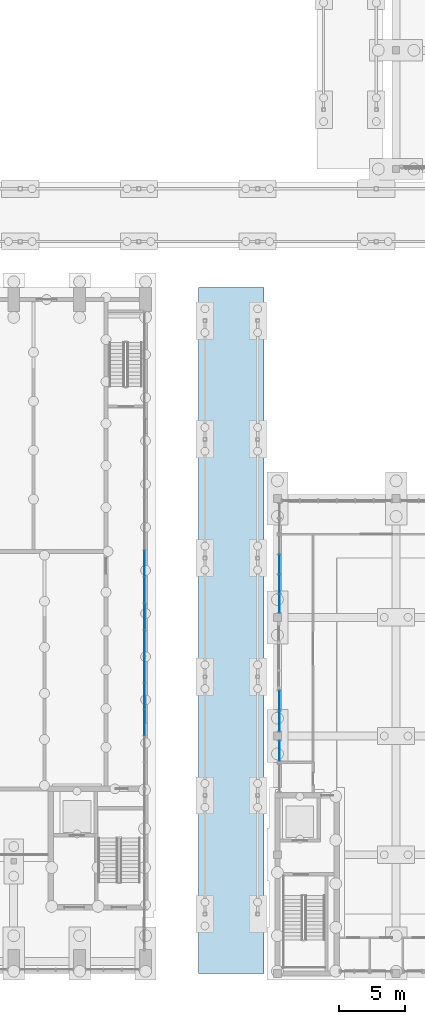
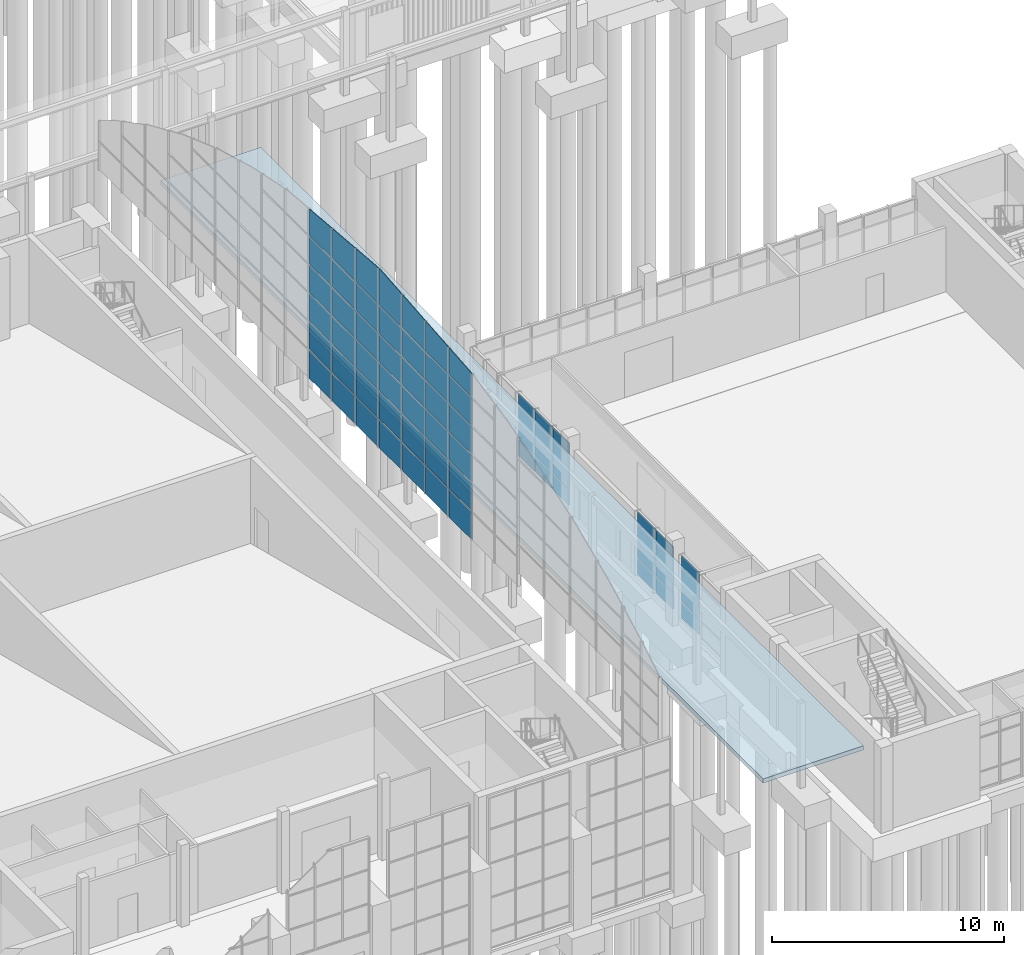
# One storey, part 54 of 106: 60 plates, 1 slab, 4 elements without a shape of their own.
"""IFC4 building model written with IfcOpenShell, lengths in metres."""

from ifc_helpers import new_model, si_unit, direction, frame, origin, origin_2d, place, context, subcontext, project, spatial, polyline, rectangle, outline, extrude, material, layer, layer_set, type_object, element, aggregate, save


model = new_model("IFC4")

# Units and contexts
model_context = context("Model", 3, precision=1e-05, world=origin(), true_north=direction((0.0, 1.0)))
body_context = subcontext(model_context, "Body", "Model", "MODEL_VIEW")
ifc_project = project(units=[si_unit("LENGTHUNIT", "METRE"), si_unit("AREAUNIT", "SQUARE_METRE"), si_unit("VOLUMEUNIT", "CUBIC_METRE"), si_unit("PLANEANGLEUNIT", "RADIAN"), si_unit("MASSUNIT", "GRAM", prefix="KILO")], contexts=[model_context])

# Site, building, storey
site_placement = place(None, origin())
site = spatial("IfcSite", under=ifc_project, at=site_placement, CompositionType="ELEMENT")
building_placement = place(site_placement, origin())
building = spatial("IfcBuilding", under=site, at=building_placement, Name="Merrow Basin Faculty of Sciences", CompositionType="ELEMENT")
storey_placement = place(building_placement, origin())
storey = spatial("IfcBuildingStorey", under=building, at=storey_placement, Name="L00", CompositionType="ELEMENT", Elevation=0.0)

# Slab
ifc_material_1 = material(Name="Concrete C40/50", Category="concrete")
ifc_layer_1 = layer(ifc_material_1, 0.219970703125)
ifc_layer_set_1 = layer_set([ifc_layer_1], Name="Canopy slab 220 Concrete C40/50")
slab_type = type_object("IfcSlabType", Name="Canopy slab 220 Concrete C40/50", PredefinedType="ROOF", material=ifc_layer_set_1)
slab_placement = place(storey_placement, frame((0.0, 0.0, 4.179931640625)))
element("IfcSlab", 1, at=slab_placement, inside=storey, type_object=slab_type, Name="SL2 passage canopy P2 L00 003", PredefinedType="ROOF", context=body_context, shape_type="SweptSolid", body=[
    extrude(outline(polyline([(39.0, 52.0), (44.0, 52.0), (44.0, 0.0), (39.0, 0.0), (39.0, 52.0)])), origin(), (0.0, 0.0, 1.0), 0.219970703125),
])

# Curtain wall, plate
ifc_material_2 = material(Name="Aluminium alloy 6063", Category="aluminium")
curtain_wall_type_1 = type_object("IfcCurtainWallType", Name="Atrium concourse curtain wall 300", PredefinedType="NOTDEFINED", material=ifc_material_2)
curtain_wall_1_placement = place(storey_placement, origin())
curtain_wall_1 = element("IfcCurtainWall", 2, at=curtain_wall_1_placement, inside=storey, type_object=curtain_wall_type_1, Name="W curtain wall L00 2", PredefinedType="NOTDEFINED")
ifc_material_3 = material(Name="Insulated aluminium spandrel panel", Category="aluminium")
ifc_layer_2 = layer(ifc_material_3, 0.052001953125)
ifc_layer_set_2 = layer_set([ifc_layer_2], Name="Insulated spandrel panel 52")
plate_type_1 = type_object("IfcPlateType", Name="Insulated spandrel panel 52", PredefinedType="CURTAIN_PANEL", material=ifc_layer_set_2)
plate_1_placement = place(storey_placement, frame((45.14990234375, 16.887451171875, 0.06005859375), z_axis=(0.0, 0.0, 1.0), x_axis=(0.0, 1.0, 0.0)))
plate_1 = element("IfcPlate", 3, at=plate_1_placement, type_object=plate_type_1, Name="CW6 panel 1.1", PredefinedType="CURTAIN_PANEL", context=body_context, shape_type="SweptSolid", body=[
    extrude(rectangle(XDim=1.5048828125, YDim=0.052001953125, at=origin_2d()), origin(), (0.0, 0.0, 1.0), 0.81005859375),
])

# Curtain wall, plates
curtain_wall_2_placement = place(storey_placement, origin())
curtain_wall_2 = element("IfcCurtainWall", 4, at=curtain_wall_2_placement, inside=storey, type_object=curtain_wall_type_1, Name="W curtain wall L00 3", PredefinedType="NOTDEFINED")
plate_2_placement = place(storey_placement, frame((45.14990234375, 19.114990234375, 0.06005859375), z_axis=(0.0, 0.0, 1.0), x_axis=(0.0, 1.0, 0.0)))
plate_2 = element("IfcPlate", 5, at=plate_2_placement, type_object=plate_type_1, Name="CW6 panel 1.1", PredefinedType="CURTAIN_PANEL", context=body_context, shape_type="SweptSolid", body=[
    extrude(rectangle(XDim=1.510009765625, YDim=0.052001953125, at=origin_2d()), origin(), (0.0, 0.0, 1.0), 0.81005859375),
])
plate_3_placement = place(storey_placement, frame((45.14990234375, 20.68505859375, 0.06005859375), z_axis=(0.0, 0.0, 1.0), x_axis=(0.0, 1.0, 0.0)))
plate_3 = element("IfcPlate", 6, at=plate_3_placement, type_object=plate_type_1, Name="CW6 panel 2.1", PredefinedType="CURTAIN_PANEL", context=body_context, shape_type="SweptSolid", body=[
    extrude(rectangle(XDim=1.510009765625, YDim=0.052001953125, at=origin_2d()), origin(), (0.0, 0.0, 1.0), 0.81005859375),
])

curtain_wall_3_placement = place(storey_placement, origin())
curtain_wall_3 = element("IfcCurtainWall", 7, at=curtain_wall_3_placement, inside=storey, type_object=curtain_wall_type_1, Name="W curtain wall L00 4", PredefinedType="NOTDEFINED")
plate_4_placement = place(storey_placement, frame((45.14990234375, 28.058837890625, 0.06005859375), z_axis=(0.0, 0.0, 1.0), x_axis=(0.0, 1.0, 0.0)))
plate_4 = element("IfcPlate", 8, at=plate_4_placement, type_object=plate_type_1, Name="CW6 panel 1.1", PredefinedType="CURTAIN_PANEL", context=body_context, shape_type="SweptSolid", body=[
    extrude(rectangle(XDim=1.3974609375, YDim=0.052001953125, at=origin_2d()), origin(), (0.0, 0.0, 1.0), 0.81005859375),
])
plate_5_placement = place(storey_placement, frame((45.14990234375, 29.53125, 0.06005859375), z_axis=(0.0, 0.0, 1.0), x_axis=(0.0, 1.0, 0.0)))
plate_5 = element("IfcPlate", 9, at=plate_5_placement, type_object=plate_type_1, Name="CW6 panel 2.1", PredefinedType="CURTAIN_PANEL", context=body_context, shape_type="SweptSolid", body=[
    extrude(rectangle(XDim=1.427490234375, YDim=0.052001953125, at=origin_2d()), origin(), (0.0, 0.0, 1.0), 0.81005859375),
])
plate_6_placement = place(storey_placement, frame((45.14990234375, 31.018798828125, 0.06005859375), z_axis=(0.0, 0.0, 1.0), x_axis=(0.0, 1.0, 0.0)))
plate_6 = element("IfcPlate", 10, at=plate_6_placement, type_object=plate_type_1, Name="CW6 panel 3.1", PredefinedType="CURTAIN_PANEL", context=body_context, shape_type="SweptSolid", body=[
    extrude(rectangle(XDim=1.427490234375, YDim=0.052001953125, at=origin_2d()), origin(), (0.0, 0.0, 1.0), 0.81005859375),
])

ifc_material_4 = material(Name="Aluminium alloy 6063", Category="aluminium")
curtain_wall_type_2 = type_object("IfcCurtainWallType", Name="Arched curtain wall 160", PredefinedType="NOTDEFINED", material=ifc_material_4)
curtain_wall_4_placement = place(storey_placement, origin())
curtain_wall_4 = element("IfcCurtainWall", 11, at=curtain_wall_4_placement, inside=storey, type_object=curtain_wall_type_2, Name="East gable glazing C", PredefinedType="NOTDEFINED")
ifc_material_5 = material(Name="Laminated safety glass", Category="glass")
ifc_layer_3 = layer(ifc_material_5, 0.0400390625)
ifc_layer_set_3 = layer_set([ifc_layer_3], Name="Laminated overhead glazing panel 40")
plate_type_2 = type_object("IfcPlateType", Name="Laminated overhead glazing panel 40", PredefinedType="CURTAIN_PANEL", material=ifc_layer_set_3)
plate_7_placement = place(storey_placement, frame((34.89990234375, 18.052001953125, 7.5), z_axis=(1.0, 0.0, 0.0), x_axis=(0.0, 1.0, 0.0)))
plate_7 = element("IfcPlate", 12, at=plate_7_placement, type_object=plate_type_2, Name="CW4 panel 3.1", PredefinedType="CURTAIN_PANEL", context=body_context, shape_type="SweptSolid", body=[
    extrude(outline(polyline([(0.0, 0.0), (1.949951171875, 0.0), (1.949951171875, 1.469970703125), (0.0, 1.469970703125), (0.0, 0.0)])), origin(), (0.0, 0.0, 1.0), 0.0400390625),
])
plate_8_placement = place(storey_placement, frame((34.89990234375, 18.052001953125, 9.030029296875), z_axis=(1.0, 0.0, 0.0), x_axis=(0.0, 1.0, 0.0)))
plate_8 = element("IfcPlate", 13, at=plate_8_placement, type_object=plate_type_2, Name="CW4 panel 3.2", PredefinedType="CURTAIN_PANEL", context=body_context, shape_type="SweptSolid", body=[
    extrude(outline(polyline([(0.0, 0.0), (1.949951171875, 0.0), (1.949951171875, 1.43994140625), (0.0, 1.43994140625), (0.0, 0.0)])), origin(), (0.0, 0.0, 1.0), 0.0400390625),
])
plate_9_placement = place(storey_placement, frame((34.89990234375, 18.052001953125, 10.530029296875), z_axis=(1.0, 0.0, 0.0), x_axis=(0.0, 1.0, 0.0)))
plate_9 = element("IfcPlate", 14, at=plate_9_placement, type_object=plate_type_2, Name="CW4 panel 3.3", PredefinedType="CURTAIN_PANEL", context=body_context, shape_type="SweptSolid", body=[
    extrude(outline(polyline([(0.0, 0.0), (1.949951171875, 0.0), (1.949951171875, 1.43994140625), (0.0, 1.43994140625), (0.0, 0.0)])), origin(), (0.0, 0.0, 1.0), 0.0400390625),
])
plate_10_placement = place(storey_placement, frame((34.89990234375, 18.052001953125, 12.030029296875), z_axis=(1.0, 0.0, 0.0), x_axis=(0.0, 1.0, 0.0)))
plate_10 = element("IfcPlate", 15, at=plate_10_placement, type_object=plate_type_2, Name="CW4 panel 3.4", PredefinedType="CURTAIN_PANEL", context=body_context, shape_type="SweptSolid", body=[
    extrude(outline(polyline([(0.0, 0.0), (1.949951171875, 0.0), (1.949951171875, 1.43994140625), (0.0, 1.43994140625), (0.0, 0.0)])), origin(), (0.0, 0.0, 1.0), 0.0400390625),
])
plate_11_placement = place(storey_placement, frame((34.89990234375, 18.052001953125, 13.530029296875), z_axis=(1.0, 0.0, 0.0), x_axis=(0.0, 1.0, 0.0)))
plate_11 = element("IfcPlate", 16, at=plate_11_placement, type_object=plate_type_2, Name="CW4 panel 3.5", PredefinedType="CURTAIN_PANEL", context=body_context, shape_type="SweptSolid", body=[
    extrude(outline(polyline([(0.0, 0.0), (1.949951171875, 0.0), (1.949951171875, 1.43994140625), (0.0, 1.43994140625), (0.0, 0.0)])), origin(), (0.0, 0.0, 1.0), 0.0400390625),
])
plate_12_placement = place(storey_placement, frame((34.89990234375, 18.052001953125, 15.030029296875), z_axis=(1.0, 0.0, 0.0), x_axis=(0.0, 1.0, 0.0)))
plate_12 = element("IfcPlate", 17, at=plate_12_placement, type_object=plate_type_2, Name="CW4 panel 3.top", PredefinedType="CURTAIN_PANEL", context=body_context, shape_type="SweptSolid", body=[
    extrude(outline(polyline([(0.0, 0.0), (1.950927734375, 0.0), (1.950927734375, 1.39501953125), (0.0, 1.22509765625), (0.0, 0.0)])), origin(), (0.0, 0.0, 1.0), 0.0400390625),
])
plate_13_placement = place(storey_placement, frame((34.89990234375, 20.06298828125, 7.5), z_axis=(1.0, 0.0, 0.0), x_axis=(0.0, 1.0, 0.0)))
plate_13 = element("IfcPlate", 18, at=plate_13_placement, type_object=plate_type_2, Name="CW4 panel 4.1", PredefinedType="CURTAIN_PANEL", context=body_context, shape_type="SweptSolid", body=[
    extrude(outline(polyline([(0.0, 0.0), (1.949951171875, 0.0), (1.949951171875, 1.469970703125), (0.0, 1.469970703125), (0.0, 0.0)])), origin(), (0.0, 0.0, 1.0), 0.0400390625),
])
plate_14_placement = place(storey_placement, frame((34.89990234375, 20.06298828125, 9.030029296875), z_axis=(1.0, 0.0, 0.0), x_axis=(0.0, 1.0, 0.0)))
plate_14 = element("IfcPlate", 19, at=plate_14_placement, type_object=plate_type_2, Name="CW4 panel 4.2", PredefinedType="CURTAIN_PANEL", context=body_context, shape_type="SweptSolid", body=[
    extrude(outline(polyline([(0.0, 0.0), (1.949951171875, 0.0), (1.949951171875, 1.43994140625), (0.0, 1.43994140625), (0.0, 0.0)])), origin(), (0.0, 0.0, 1.0), 0.0400390625),
])
plate_15_placement = place(storey_placement, frame((34.89990234375, 20.06298828125, 10.530029296875), z_axis=(1.0, 0.0, 0.0), x_axis=(0.0, 1.0, 0.0)))
plate_15 = element("IfcPlate", 20, at=plate_15_placement, type_object=plate_type_2, Name="CW4 panel 4.3", PredefinedType="CURTAIN_PANEL", context=body_context, shape_type="SweptSolid", body=[
    extrude(outline(polyline([(0.0, 0.0), (1.949951171875, 0.0), (1.949951171875, 1.43994140625), (0.0, 1.43994140625), (0.0, 0.0)])), origin(), (0.0, 0.0, 1.0), 0.0400390625),
])
plate_16_placement = place(storey_placement, frame((34.89990234375, 20.06298828125, 12.030029296875), z_axis=(1.0, 0.0, 0.0), x_axis=(0.0, 1.0, 0.0)))
plate_16 = element("IfcPlate", 21, at=plate_16_placement, type_object=plate_type_2, Name="CW4 panel 4.4", PredefinedType="CURTAIN_PANEL", context=body_context, shape_type="SweptSolid", body=[
    extrude(outline(polyline([(0.0, 0.0), (1.949951171875, 0.0), (1.949951171875, 1.43994140625), (0.0, 1.43994140625), (0.0, 0.0)])), origin(), (0.0, 0.0, 1.0), 0.0400390625),
])
plate_17_placement = place(storey_placement, frame((34.89990234375, 20.06298828125, 13.530029296875), z_axis=(1.0, 0.0, 0.0), x_axis=(0.0, 1.0, 0.0)))
plate_17 = element("IfcPlate", 22, at=plate_17_placement, type_object=plate_type_2, Name="CW4 panel 4.5", PredefinedType="CURTAIN_PANEL", context=body_context, shape_type="SweptSolid", body=[
    extrude(outline(polyline([(0.0, 0.0), (1.949951171875, 0.0), (1.949951171875, 1.43994140625), (0.0, 1.43994140625), (0.0, 0.0)])), origin(), (0.0, 0.0, 1.0), 0.0400390625),
])
plate_18_placement = place(storey_placement, frame((34.89990234375, 20.06298828125, 15.030029296875), z_axis=(1.0, 0.0, 0.0), x_axis=(0.0, 1.0, 0.0)))
plate_18 = element("IfcPlate", 23, at=plate_18_placement, type_object=plate_type_2, Name="CW4 panel 4.top", PredefinedType="CURTAIN_PANEL", context=body_context, shape_type="SweptSolid", body=[
    extrude(outline(polyline([(0.0, 0.0), (1.950927734375, 0.0), (1.950927734375, 1.569091796875), (0.0, 1.39990234375), (0.0, 0.0)])), origin(), (0.0, 0.0, 1.0), 0.0400390625),
])
plate_19_placement = place(storey_placement, frame((34.89990234375, 22.073974609375, 7.5), z_axis=(1.0, 0.0, 0.0), x_axis=(0.0, 1.0, 0.0)))
plate_19 = element("IfcPlate", 24, at=plate_19_placement, type_object=plate_type_2, Name="CW4 panel 5.1", PredefinedType="CURTAIN_PANEL", context=body_context, shape_type="SweptSolid", body=[
    extrude(outline(polyline([(0.0, 0.0), (1.949951171875, 0.0), (1.949951171875, 1.469970703125), (0.0, 1.469970703125), (0.0, 0.0)])), origin(), (0.0, 0.0, 1.0), 0.0400390625),
])
plate_20_placement = place(storey_placement, frame((34.89990234375, 22.073974609375, 9.030029296875), z_axis=(1.0, 0.0, 0.0), x_axis=(0.0, 1.0, 0.0)))
plate_20 = element("IfcPlate", 25, at=plate_20_placement, type_object=plate_type_2, Name="CW4 panel 5.2", PredefinedType="CURTAIN_PANEL", context=body_context, shape_type="SweptSolid", body=[
    extrude(outline(polyline([(0.0, 0.0), (1.949951171875, 0.0), (1.949951171875, 1.43994140625), (0.0, 1.43994140625), (0.0, 0.0)])), origin(), (0.0, 0.0, 1.0), 0.0400390625),
])
plate_21_placement = place(storey_placement, frame((34.89990234375, 22.073974609375, 10.530029296875), z_axis=(1.0, 0.0, 0.0), x_axis=(0.0, 1.0, 0.0)))
plate_21 = element("IfcPlate", 26, at=plate_21_placement, type_object=plate_type_2, Name="CW4 panel 5.3", PredefinedType="CURTAIN_PANEL", context=body_context, shape_type="SweptSolid", body=[
    extrude(outline(polyline([(0.0, 0.0), (1.949951171875, 0.0), (1.949951171875, 1.43994140625), (0.0, 1.43994140625), (0.0, 0.0)])), origin(), (0.0, 0.0, 1.0), 0.0400390625),
])
plate_22_placement = place(storey_placement, frame((34.89990234375, 22.073974609375, 12.030029296875), z_axis=(1.0, 0.0, 0.0), x_axis=(0.0, 1.0, 0.0)))
plate_22 = element("IfcPlate", 27, at=plate_22_placement, type_object=plate_type_2, Name="CW4 panel 5.4", PredefinedType="CURTAIN_PANEL", context=body_context, shape_type="SweptSolid", body=[
    extrude(outline(polyline([(0.0, 0.0), (1.949951171875, 0.0), (1.949951171875, 1.43994140625), (0.0, 1.43994140625), (0.0, 0.0)])), origin(), (0.0, 0.0, 1.0), 0.0400390625),
])
plate_23_placement = place(storey_placement, frame((34.89990234375, 22.073974609375, 13.530029296875), z_axis=(1.0, 0.0, 0.0), x_axis=(0.0, 1.0, 0.0)))
plate_23 = element("IfcPlate", 28, at=plate_23_placement, type_object=plate_type_2, Name="CW4 panel 5.5", PredefinedType="CURTAIN_PANEL", context=body_context, shape_type="SweptSolid", body=[
    extrude(outline(polyline([(0.0, 0.0), (1.949951171875, 0.0), (1.949951171875, 1.43994140625), (0.0, 1.43994140625), (0.0, 0.0)])), origin(), (0.0, 0.0, 1.0), 0.0400390625),
])
plate_24_placement = place(storey_placement, frame((34.89990234375, 22.073974609375, 15.030029296875), z_axis=(1.0, 0.0, 0.0), x_axis=(0.0, 1.0, 0.0)))
plate_24 = element("IfcPlate", 29, at=plate_24_placement, type_object=plate_type_2, Name="CW4 panel 5.top", PredefinedType="CURTAIN_PANEL", context=body_context, shape_type="SweptSolid", body=[
    extrude(outline(polyline([(0.0, 0.0), (1.950927734375, 0.0), (1.950927734375, 1.743896484375), (0.0, 1.574951171875), (0.0, 0.0)])), origin(), (0.0, 0.0, 1.0), 0.0400390625),
])
plate_25_placement = place(storey_placement, frame((34.89990234375, 24.0859375, 7.5), z_axis=(1.0, 0.0, 0.0), x_axis=(0.0, 1.0, 0.0)))
plate_25 = element("IfcPlate", 30, at=plate_25_placement, type_object=plate_type_2, Name="CW4 panel 6.1", PredefinedType="CURTAIN_PANEL", context=body_context, shape_type="SweptSolid", body=[
    extrude(outline(polyline([(0.0, 0.0), (1.949951171875, 0.0), (1.949951171875, 1.469970703125), (0.0, 1.469970703125), (0.0, 0.0)])), origin(), (0.0, 0.0, 1.0), 0.0400390625),
])
plate_26_placement = place(storey_placement, frame((34.89990234375, 24.0859375, 9.030029296875), z_axis=(1.0, 0.0, 0.0), x_axis=(0.0, 1.0, 0.0)))
plate_26 = element("IfcPlate", 31, at=plate_26_placement, type_object=plate_type_2, Name="CW4 panel 6.2", PredefinedType="CURTAIN_PANEL", context=body_context, shape_type="SweptSolid", body=[
    extrude(outline(polyline([(0.0, 0.0), (1.949951171875, 0.0), (1.949951171875, 1.43994140625), (0.0, 1.43994140625), (0.0, 0.0)])), origin(), (0.0, 0.0, 1.0), 0.0400390625),
])
plate_27_placement = place(storey_placement, frame((34.89990234375, 24.0859375, 10.530029296875), z_axis=(1.0, 0.0, 0.0), x_axis=(0.0, 1.0, 0.0)))
plate_27 = element("IfcPlate", 32, at=plate_27_placement, type_object=plate_type_2, Name="CW4 panel 6.3", PredefinedType="CURTAIN_PANEL", context=body_context, shape_type="SweptSolid", body=[
    extrude(outline(polyline([(0.0, 0.0), (1.949951171875, 0.0), (1.949951171875, 1.43994140625), (0.0, 1.43994140625), (0.0, 0.0)])), origin(), (0.0, 0.0, 1.0), 0.0400390625),
])
plate_28_placement = place(storey_placement, frame((34.89990234375, 24.0859375, 12.030029296875), z_axis=(1.0, 0.0, 0.0), x_axis=(0.0, 1.0, 0.0)))
plate_28 = element("IfcPlate", 33, at=plate_28_placement, type_object=plate_type_2, Name="CW4 panel 6.4", PredefinedType="CURTAIN_PANEL", context=body_context, shape_type="SweptSolid", body=[
    extrude(outline(polyline([(0.0, 0.0), (1.949951171875, 0.0), (1.949951171875, 1.43994140625), (0.0, 1.43994140625), (0.0, 0.0)])), origin(), (0.0, 0.0, 1.0), 0.0400390625),
])
plate_29_placement = place(storey_placement, frame((34.89990234375, 24.0859375, 13.530029296875), z_axis=(1.0, 0.0, 0.0), x_axis=(0.0, 1.0, 0.0)))
plate_29 = element("IfcPlate", 34, at=plate_29_placement, type_object=plate_type_2, Name="CW4 panel 6.5", PredefinedType="CURTAIN_PANEL", context=body_context, shape_type="SweptSolid", body=[
    extrude(outline(polyline([(0.0, 0.0), (1.949951171875, 0.0), (1.949951171875, 1.43994140625), (0.0, 1.43994140625), (0.0, 0.0)])), origin(), (0.0, 0.0, 1.0), 0.0400390625),
])
plate_30_placement = place(storey_placement, frame((34.89990234375, 24.0859375, 15.030029296875), z_axis=(1.0, 0.0, 0.0), x_axis=(0.0, 1.0, 0.0)))
plate_30 = element("IfcPlate", 35, at=plate_30_placement, type_object=plate_type_2, Name="CW4 panel 6.top", PredefinedType="CURTAIN_PANEL", context=body_context, shape_type="SweptSolid", body=[
    extrude(outline(polyline([(0.0, 0.0), (1.950927734375, 0.0), (1.950927734375, 1.912109375), (1.9140625, 1.916015625), (0.0, 1.7490234375), (0.0, 0.0)])), origin(), (0.0, 0.0, 1.0), 0.0400390625),
])
plate_31_placement = place(storey_placement, frame((34.89990234375, 26.096923828125, 7.5), z_axis=(1.0, 0.0, 0.0), x_axis=(0.0, 1.0, 0.0)))
plate_31 = element("IfcPlate", 36, at=plate_31_placement, type_object=plate_type_2, Name="CW4 panel 7.1", PredefinedType="CURTAIN_PANEL", context=body_context, shape_type="SweptSolid", body=[
    extrude(outline(polyline([(0.0, 0.0), (1.949951171875, 0.0), (1.949951171875, 1.469970703125), (0.0, 1.469970703125), (0.0, 0.0)])), origin(), (0.0, 0.0, 1.0), 0.0400390625),
])
plate_32_placement = place(storey_placement, frame((34.89990234375, 26.096923828125, 9.030029296875), z_axis=(1.0, 0.0, 0.0), x_axis=(0.0, 1.0, 0.0)))
plate_32 = element("IfcPlate", 37, at=plate_32_placement, type_object=plate_type_2, Name="CW4 panel 7.2", PredefinedType="CURTAIN_PANEL", context=body_context, shape_type="SweptSolid", body=[
    extrude(outline(polyline([(0.0, 0.0), (1.949951171875, 0.0), (1.949951171875, 1.43994140625), (0.0, 1.43994140625), (0.0, 0.0)])), origin(), (0.0, 0.0, 1.0), 0.0400390625),
])
plate_33_placement = place(storey_placement, frame((34.89990234375, 26.096923828125, 10.530029296875), z_axis=(1.0, 0.0, 0.0), x_axis=(0.0, 1.0, 0.0)))
plate_33 = element("IfcPlate", 38, at=plate_33_placement, type_object=plate_type_2, Name="CW4 panel 7.3", PredefinedType="CURTAIN_PANEL", context=body_context, shape_type="SweptSolid", body=[
    extrude(outline(polyline([(0.0, 0.0), (1.949951171875, 0.0), (1.949951171875, 1.43994140625), (0.0, 1.43994140625), (0.0, 0.0)])), origin(), (0.0, 0.0, 1.0), 0.0400390625),
])
plate_34_placement = place(storey_placement, frame((34.89990234375, 26.096923828125, 12.030029296875), z_axis=(1.0, 0.0, 0.0), x_axis=(0.0, 1.0, 0.0)))
plate_34 = element("IfcPlate", 39, at=plate_34_placement, type_object=plate_type_2, Name="CW4 panel 7.4", PredefinedType="CURTAIN_PANEL", context=body_context, shape_type="SweptSolid", body=[
    extrude(outline(polyline([(0.0, 0.0), (1.949951171875, 0.0), (1.949951171875, 1.43994140625), (0.0, 1.43994140625), (0.0, 0.0)])), origin(), (0.0, 0.0, 1.0), 0.0400390625),
])
plate_35_placement = place(storey_placement, frame((34.89990234375, 26.096923828125, 13.530029296875), z_axis=(1.0, 0.0, 0.0), x_axis=(0.0, 1.0, 0.0)))
plate_35 = element("IfcPlate", 40, at=plate_35_placement, type_object=plate_type_2, Name="CW4 panel 7.5", PredefinedType="CURTAIN_PANEL", context=body_context, shape_type="SweptSolid", body=[
    extrude(outline(polyline([(0.0, 0.0), (1.949951171875, 0.0), (1.949951171875, 1.43994140625), (0.0, 1.43994140625), (0.0, 0.0)])), origin(), (0.0, 0.0, 1.0), 0.0400390625),
])
plate_36_placement = place(storey_placement, frame((34.89990234375, 26.096923828125, 15.030029296875), z_axis=(1.0, 0.0, 0.0), x_axis=(0.0, 1.0, 0.0)))
plate_36 = element("IfcPlate", 41, at=plate_36_placement, type_object=plate_type_2, Name="CW4 panel 7.top", PredefinedType="CURTAIN_PANEL", context=body_context, shape_type="SweptSolid", body=[
    extrude(outline(polyline([(0.0, 0.0), (1.950927734375, 0.0), (1.950927734375, 1.738037109375), (0.0, 1.906982421875), (0.0, 0.0)])), origin(), (0.0, 0.0, 1.0), 0.0400390625),
])
plate_37_placement = place(storey_placement, frame((34.89990234375, 28.10791015625, 7.5), z_axis=(1.0, 0.0, 0.0), x_axis=(0.0, 1.0, 0.0)))
plate_37 = element("IfcPlate", 42, at=plate_37_placement, type_object=plate_type_2, Name="CW4 panel 8.1", PredefinedType="CURTAIN_PANEL", context=body_context, shape_type="SweptSolid", body=[
    extrude(outline(polyline([(0.0, 0.0), (1.949951171875, 0.0), (1.949951171875, 1.469970703125), (0.0, 1.469970703125), (0.0, 0.0)])), origin(), (0.0, 0.0, 1.0), 0.0400390625),
])
plate_38_placement = place(storey_placement, frame((34.89990234375, 28.10791015625, 9.030029296875), z_axis=(1.0, 0.0, 0.0), x_axis=(0.0, 1.0, 0.0)))
plate_38 = element("IfcPlate", 43, at=plate_38_placement, type_object=plate_type_2, Name="CW4 panel 8.2", PredefinedType="CURTAIN_PANEL", context=body_context, shape_type="SweptSolid", body=[
    extrude(outline(polyline([(0.0, 0.0), (1.949951171875, 0.0), (1.949951171875, 1.43994140625), (0.0, 1.43994140625), (0.0, 0.0)])), origin(), (0.0, 0.0, 1.0), 0.0400390625),
])
plate_39_placement = place(storey_placement, frame((34.89990234375, 28.10791015625, 10.530029296875), z_axis=(1.0, 0.0, 0.0), x_axis=(0.0, 1.0, 0.0)))
plate_39 = element("IfcPlate", 44, at=plate_39_placement, type_object=plate_type_2, Name="CW4 panel 8.3", PredefinedType="CURTAIN_PANEL", context=body_context, shape_type="SweptSolid", body=[
    extrude(outline(polyline([(0.0, 0.0), (1.949951171875, 0.0), (1.949951171875, 1.43994140625), (0.0, 1.43994140625), (0.0, 0.0)])), origin(), (0.0, 0.0, 1.0), 0.0400390625),
])
plate_40_placement = place(storey_placement, frame((34.89990234375, 28.10791015625, 12.030029296875), z_axis=(1.0, 0.0, 0.0), x_axis=(0.0, 1.0, 0.0)))
plate_40 = element("IfcPlate", 45, at=plate_40_placement, type_object=plate_type_2, Name="CW4 panel 8.4", PredefinedType="CURTAIN_PANEL", context=body_context, shape_type="SweptSolid", body=[
    extrude(outline(polyline([(0.0, 0.0), (1.949951171875, 0.0), (1.949951171875, 1.43994140625), (0.0, 1.43994140625), (0.0, 0.0)])), origin(), (0.0, 0.0, 1.0), 0.0400390625),
])
plate_41_placement = place(storey_placement, frame((34.89990234375, 28.10791015625, 13.530029296875), z_axis=(1.0, 0.0, 0.0), x_axis=(0.0, 1.0, 0.0)))
plate_41 = element("IfcPlate", 46, at=plate_41_placement, type_object=plate_type_2, Name="CW4 panel 8.5", PredefinedType="CURTAIN_PANEL", context=body_context, shape_type="SweptSolid", body=[
    extrude(outline(polyline([(0.0, 0.0), (1.949951171875, 0.0), (1.949951171875, 1.43994140625), (0.0, 1.43994140625), (0.0, 0.0)])), origin(), (0.0, 0.0, 1.0), 0.0400390625),
])
plate_42_placement = place(storey_placement, frame((34.89990234375, 28.10791015625, 15.030029296875), z_axis=(1.0, 0.0, 0.0), x_axis=(0.0, 1.0, 0.0)))
plate_42 = element("IfcPlate", 47, at=plate_42_placement, type_object=plate_type_2, Name="CW4 panel 8.top", PredefinedType="CURTAIN_PANEL", context=body_context, shape_type="SweptSolid", body=[
    extrude(outline(polyline([(0.0, 0.0), (1.950927734375, 0.0), (1.950927734375, 1.56298828125), (0.0, 1.73193359375), (0.0, 0.0)])), origin(), (0.0, 0.0, 1.0), 0.0400390625),
])
plate_43_placement = place(storey_placement, frame((34.89990234375, 30.118896484375, 7.5), z_axis=(1.0, 0.0, 0.0), x_axis=(0.0, 1.0, 0.0)))
plate_43 = element("IfcPlate", 48, at=plate_43_placement, type_object=plate_type_2, Name="CW4 panel 9.1", PredefinedType="CURTAIN_PANEL", context=body_context, shape_type="SweptSolid", body=[
    extrude(outline(polyline([(0.0, 0.0), (1.949951171875, 0.0), (1.949951171875, 1.469970703125), (0.0, 1.469970703125), (0.0, 0.0)])), origin(), (0.0, 0.0, 1.0), 0.0400390625),
])
plate_44_placement = place(storey_placement, frame((34.89990234375, 30.118896484375, 9.030029296875), z_axis=(1.0, 0.0, 0.0), x_axis=(0.0, 1.0, 0.0)))
plate_44 = element("IfcPlate", 49, at=plate_44_placement, type_object=plate_type_2, Name="CW4 panel 9.2", PredefinedType="CURTAIN_PANEL", context=body_context, shape_type="SweptSolid", body=[
    extrude(outline(polyline([(0.0, 0.0), (1.949951171875, 0.0), (1.949951171875, 1.43994140625), (0.0, 1.43994140625), (0.0, 0.0)])), origin(), (0.0, 0.0, 1.0), 0.0400390625),
])
plate_45_placement = place(storey_placement, frame((34.89990234375, 30.118896484375, 10.530029296875), z_axis=(1.0, 0.0, 0.0), x_axis=(0.0, 1.0, 0.0)))
plate_45 = element("IfcPlate", 50, at=plate_45_placement, type_object=plate_type_2, Name="CW4 panel 9.3", PredefinedType="CURTAIN_PANEL", context=body_context, shape_type="SweptSolid", body=[
    extrude(outline(polyline([(0.0, 0.0), (1.949951171875, 0.0), (1.949951171875, 1.43994140625), (0.0, 1.43994140625), (0.0, 0.0)])), origin(), (0.0, 0.0, 1.0), 0.0400390625),
])
plate_46_placement = place(storey_placement, frame((34.89990234375, 30.118896484375, 12.030029296875), z_axis=(1.0, 0.0, 0.0), x_axis=(0.0, 1.0, 0.0)))
plate_46 = element("IfcPlate", 51, at=plate_46_placement, type_object=plate_type_2, Name="CW4 panel 9.4", PredefinedType="CURTAIN_PANEL", context=body_context, shape_type="SweptSolid", body=[
    extrude(outline(polyline([(0.0, 0.0), (1.949951171875, 0.0), (1.949951171875, 1.43994140625), (0.0, 1.43994140625), (0.0, 0.0)])), origin(), (0.0, 0.0, 1.0), 0.0400390625),
])
plate_47_placement = place(storey_placement, frame((34.89990234375, 30.118896484375, 13.530029296875), z_axis=(1.0, 0.0, 0.0), x_axis=(0.0, 1.0, 0.0)))
plate_47 = element("IfcPlate", 52, at=plate_47_placement, type_object=plate_type_2, Name="CW4 panel 9.5", PredefinedType="CURTAIN_PANEL", context=body_context, shape_type="SweptSolid", body=[
    extrude(outline(polyline([(0.0, 0.0), (1.949951171875, 0.0), (1.949951171875, 1.43994140625), (0.0, 1.43994140625), (0.0, 0.0)])), origin(), (0.0, 0.0, 1.0), 0.0400390625),
])
plate_48_placement = place(storey_placement, frame((34.89990234375, 30.118896484375, 15.030029296875), z_axis=(1.0, 0.0, 0.0), x_axis=(0.0, 1.0, 0.0)))
plate_48 = element("IfcPlate", 53, at=plate_48_placement, type_object=plate_type_2, Name="CW4 panel 9.top", PredefinedType="CURTAIN_PANEL", context=body_context, shape_type="SweptSolid", body=[
    extrude(outline(polyline([(0.0, 0.0), (1.950927734375, 0.0), (1.950927734375, 1.387939453125), (0.0, 1.55810546875), (0.0, 0.0)])), origin(), (0.0, 0.0, 1.0), 0.0400390625),
])
aggregate(curtain_wall_4, [plate_7, plate_8, plate_9, plate_10, plate_11, plate_12, plate_13, plate_14, plate_15, plate_16, plate_17, plate_18, plate_19, plate_20, plate_21, plate_22, plate_23, plate_24, plate_25, plate_26, plate_27, plate_28, plate_29, plate_30, plate_31, plate_32, plate_33, plate_34, plate_35, plate_36, plate_37, plate_38, plate_39, plate_40, plate_41, plate_42, plate_43, plate_44, plate_45, plate_46, plate_47, plate_48])

# Plate
ifc_material_6 = material(Name="Low-E triple glazing", Category="glass")
ifc_layer_4 = layer(ifc_material_6, 0.0439453125)
ifc_layer_set_4 = layer_set([ifc_layer_4], Name="Triple glazed panel 44")
plate_type_3 = type_object("IfcPlateType", Name="Triple glazed panel 44", PredefinedType="CURTAIN_PANEL", material=ifc_layer_set_4)
plate_49_placement = place(storey_placement, frame((45.14990234375, 16.887451171875, 0.93017578125), z_axis=(0.0, 0.0, 1.0), x_axis=(0.0, 1.0, 0.0)))
plate_49 = element("IfcPlate", 54, at=plate_49_placement, type_object=plate_type_3, Name="CW6 panel 1.2", PredefinedType="CURTAIN_PANEL", context=body_context, shape_type="SweptSolid", body=[
    extrude(rectangle(XDim=1.5048828125, YDim=0.0439453125, at=origin_2d()), origin(), (0.0, 0.0, 1.0), 1.739990234375),
])

plate_50_placement = place(storey_placement, frame((45.14990234375, 16.887451171875, 2.72998046875), z_axis=(0.0, 0.0, 1.0), x_axis=(0.0, 1.0, 0.0)))
plate_50 = element("IfcPlate", 55, at=plate_50_placement, type_object=plate_type_3, Name="CW6 panel 1.3", PredefinedType="CURTAIN_PANEL", context=body_context, shape_type="SweptSolid", body=[
    extrude(rectangle(XDim=1.5048828125, YDim=0.0439453125, at=origin_2d()), origin(), (0.0, 0.0, 1.0), 0.610107421875),
])

aggregate(curtain_wall_1, [plate_1, plate_49, plate_50])

plate_51_placement = place(storey_placement, frame((45.14990234375, 19.114990234375, 0.93017578125), z_axis=(0.0, 0.0, 1.0), x_axis=(0.0, 1.0, 0.0)))
plate_51 = element("IfcPlate", 56, at=plate_51_placement, type_object=plate_type_3, Name="CW6 panel 1.2", PredefinedType="CURTAIN_PANEL", context=body_context, shape_type="SweptSolid", body=[
    extrude(rectangle(XDim=1.510009765625, YDim=0.0439453125, at=origin_2d()), origin(), (0.0, 0.0, 1.0), 1.739990234375),
])

plate_52_placement = place(storey_placement, frame((45.14990234375, 19.114990234375, 2.72998046875), z_axis=(0.0, 0.0, 1.0), x_axis=(0.0, 1.0, 0.0)))
plate_52 = element("IfcPlate", 57, at=plate_52_placement, type_object=plate_type_3, Name="CW6 panel 1.3", PredefinedType="CURTAIN_PANEL", context=body_context, shape_type="SweptSolid", body=[
    extrude(rectangle(XDim=1.510009765625, YDim=0.0439453125, at=origin_2d()), origin(), (0.0, 0.0, 1.0), 0.610107421875),
])

plate_53_placement = place(storey_placement, frame((45.14990234375, 20.68505859375, 0.93017578125), z_axis=(0.0, 0.0, 1.0), x_axis=(0.0, 1.0, 0.0)))
plate_53 = element("IfcPlate", 58, at=plate_53_placement, type_object=plate_type_3, Name="CW6 panel 2.2", PredefinedType="CURTAIN_PANEL", context=body_context, shape_type="SweptSolid", body=[
    extrude(rectangle(XDim=1.510009765625, YDim=0.0439453125, at=origin_2d()), origin(), (0.0, 0.0, 1.0), 1.739990234375),
])

plate_54_placement = place(storey_placement, frame((45.14990234375, 20.68505859375, 2.72998046875), z_axis=(0.0, 0.0, 1.0), x_axis=(0.0, 1.0, 0.0)))
plate_54 = element("IfcPlate", 59, at=plate_54_placement, type_object=plate_type_3, Name="CW6 panel 2.3", PredefinedType="CURTAIN_PANEL", context=body_context, shape_type="SweptSolid", body=[
    extrude(rectangle(XDim=1.510009765625, YDim=0.0439453125, at=origin_2d()), origin(), (0.0, 0.0, 1.0), 0.610107421875),
])

aggregate(curtain_wall_2, [plate_2, plate_51, plate_52, plate_3, plate_53, plate_54])

plate_55_placement = place(storey_placement, frame((45.14990234375, 28.058837890625, 0.93017578125), z_axis=(0.0, 0.0, 1.0), x_axis=(0.0, 1.0, 0.0)))
plate_55 = element("IfcPlate", 60, at=plate_55_placement, type_object=plate_type_3, Name="CW6 panel 1.2", PredefinedType="CURTAIN_PANEL", context=body_context, shape_type="SweptSolid", body=[
    extrude(rectangle(XDim=1.3974609375, YDim=0.0439453125, at=origin_2d()), origin(), (0.0, 0.0, 1.0), 1.739990234375),
])

plate_56_placement = place(storey_placement, frame((45.14990234375, 28.058837890625, 2.72998046875), z_axis=(0.0, 0.0, 1.0), x_axis=(0.0, 1.0, 0.0)))
plate_56 = element("IfcPlate", 61, at=plate_56_placement, type_object=plate_type_3, Name="CW6 panel 1.3", PredefinedType="CURTAIN_PANEL", context=body_context, shape_type="SweptSolid", body=[
    extrude(rectangle(XDim=1.3974609375, YDim=0.0439453125, at=origin_2d()), origin(), (0.0, 0.0, 1.0), 0.610107421875),
])

plate_57_placement = place(storey_placement, frame((45.14990234375, 29.53125, 0.93017578125), z_axis=(0.0, 0.0, 1.0), x_axis=(0.0, 1.0, 0.0)))
plate_57 = element("IfcPlate", 62, at=plate_57_placement, type_object=plate_type_3, Name="CW6 panel 2.2", PredefinedType="CURTAIN_PANEL", context=body_context, shape_type="SweptSolid", body=[
    extrude(rectangle(XDim=1.427490234375, YDim=0.0439453125, at=origin_2d()), origin(), (0.0, 0.0, 1.0), 1.739990234375),
])

plate_58_placement = place(storey_placement, frame((45.14990234375, 29.53125, 2.72998046875), z_axis=(0.0, 0.0, 1.0), x_axis=(0.0, 1.0, 0.0)))
plate_58 = element("IfcPlate", 63, at=plate_58_placement, type_object=plate_type_3, Name="CW6 panel 2.3", PredefinedType="CURTAIN_PANEL", context=body_context, shape_type="SweptSolid", body=[
    extrude(rectangle(XDim=1.427490234375, YDim=0.0439453125, at=origin_2d()), origin(), (0.0, 0.0, 1.0), 0.610107421875),
])

plate_59_placement = place(storey_placement, frame((45.14990234375, 31.018798828125, 0.93017578125), z_axis=(0.0, 0.0, 1.0), x_axis=(0.0, 1.0, 0.0)))
plate_59 = element("IfcPlate", 64, at=plate_59_placement, type_object=plate_type_3, Name="CW6 panel 3.2", PredefinedType="CURTAIN_PANEL", context=body_context, shape_type="SweptSolid", body=[
    extrude(rectangle(XDim=1.427490234375, YDim=0.0439453125, at=origin_2d()), origin(), (0.0, 0.0, 1.0), 1.739990234375),
])

plate_60_placement = place(storey_placement, frame((45.14990234375, 31.018798828125, 2.72998046875), z_axis=(0.0, 0.0, 1.0), x_axis=(0.0, 1.0, 0.0)))
plate_60 = element("IfcPlate", 65, at=plate_60_placement, type_object=plate_type_3, Name="CW6 panel 3.3", PredefinedType="CURTAIN_PANEL", context=body_context, shape_type="SweptSolid", body=[
    extrude(rectangle(XDim=1.427490234375, YDim=0.0439453125, at=origin_2d()), origin(), (0.0, 0.0, 1.0), 0.610107421875),
])

aggregate(curtain_wall_3, [plate_4, plate_55, plate_56, plate_5, plate_57, plate_58, plate_6, plate_59, plate_60])

save(model, "model.ifc")
